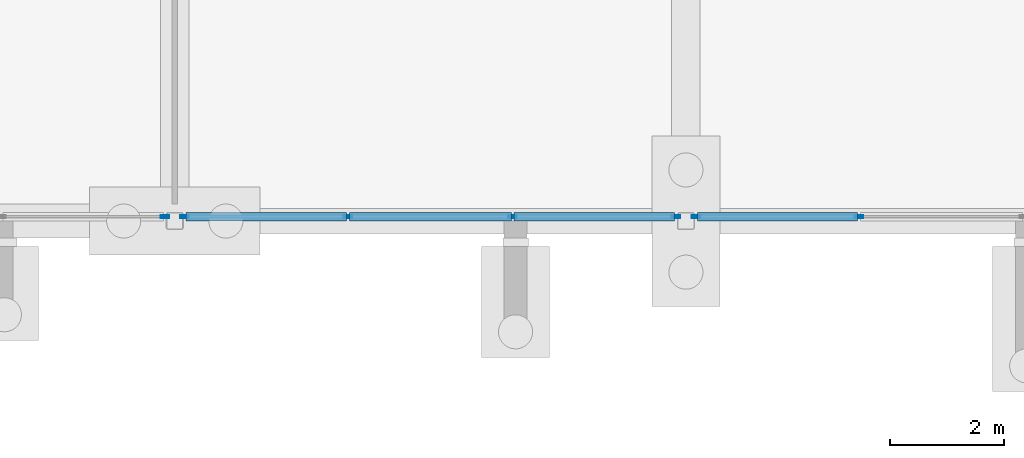
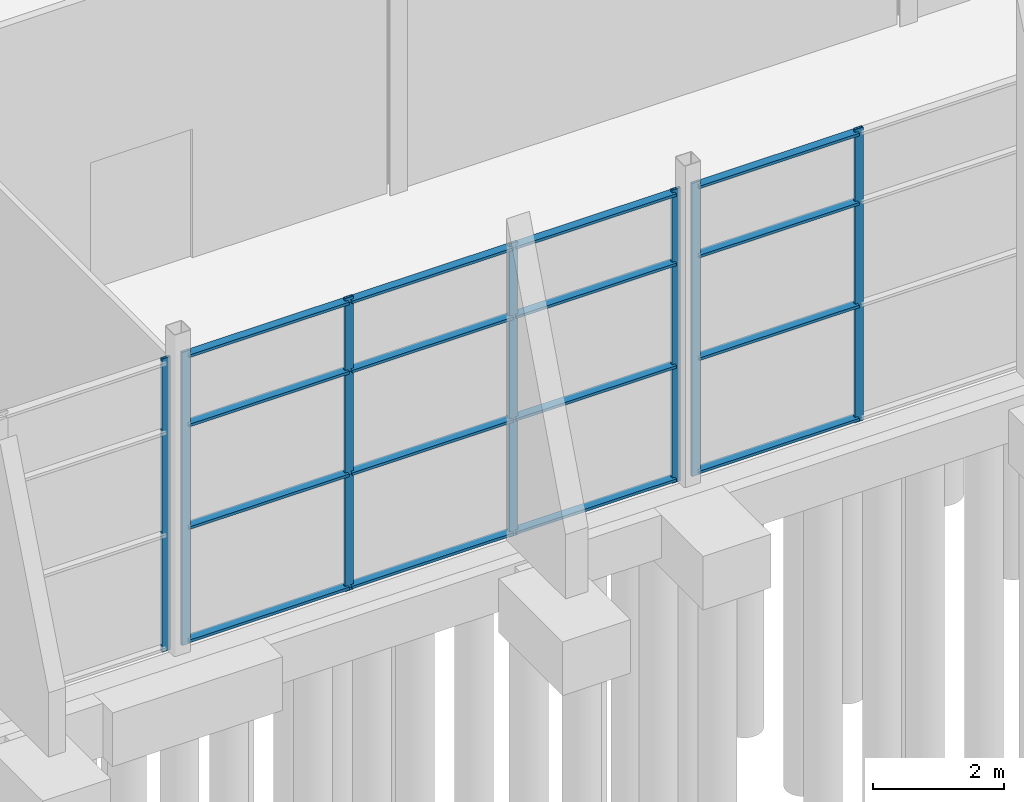
# One storey, part 78 of 139: 23 members, 3 elements without a shape of their own.
"""IFC4 building model written with IfcOpenShell, lengths in metres."""

from ifc_helpers import new_model, si_unit, direction, frame, origin, origin_2d, place, context, subcontext, project, spatial, hollow_rectangle, extrude, material, layer, layer_set, material_profile, profile_set, type_object, element, aggregate, save


model = new_model("IFC4")

# Units and contexts
model_context = context("Model", 3, precision=1e-05, world=origin(), true_north=direction((0.0, 1.0)))
body_context = subcontext(model_context, "Body", "Model", "MODEL_VIEW")
ifc_project = project(units=[si_unit("LENGTHUNIT", "METRE"), si_unit("AREAUNIT", "SQUARE_METRE"), si_unit("VOLUMEUNIT", "CUBIC_METRE"), si_unit("PLANEANGLEUNIT", "RADIAN"), si_unit("MASSUNIT", "GRAM", prefix="KILO")], contexts=[model_context])

# Site, building, storey
site_placement = place(None, origin())
site = spatial("IfcSite", under=ifc_project, at=site_placement, CompositionType="ELEMENT")
building_placement = place(site_placement, origin())
building = spatial("IfcBuilding", under=site, at=building_placement, Name="Shorebreak Coast Museum", CompositionType="ELEMENT")
storey_placement = place(building_placement, origin())
storey = spatial("IfcBuildingStorey", under=building, at=storey_placement, Name="L00", CompositionType="ELEMENT", Elevation=0.0)

# Curtain wall, member
ifc_material_1 = material(Name="Aluminium", Category="aluminium")
ifc_layer = layer(ifc_material_1, 0.14990234375)
ifc_layer_set = layer_set([ifc_layer], Name="Aluminium")
curtain_wall_type = type_object("IfcCurtainWallType", Name="Storefront curtain wall", PredefinedType="NOTDEFINED", material=ifc_layer_set)
curtain_wall_1_placement = place(storey_placement, origin())
curtain_wall_1 = element("IfcCurtainWall", 1, at=curtain_wall_1_placement, inside=storey, type_object=curtain_wall_type, Name="Storefront L00 S 8", PredefinedType="NOTDEFINED")
ifc_material_2 = material(Name="Aluminium", Category="aluminium")
ifc_material_profile_1 = material_profile(ifc_material_2, hollow_rectangle(XDim=0.050048828125, YDim=0.14990234375, WallThickness=0.00390625, at=origin_2d()), Name="AL 150x50 RHS")
ifc_profile_set_1 = profile_set([ifc_material_profile_1], Name="Aluminium")
member_type_1 = type_object("IfcMemberType", Name="Storefront mullion 50 x 150", PredefinedType="MULLION", material=ifc_profile_set_1)
member_1_placement = place(storey_placement, frame((125.824951171875, 54.074951171875, 0.0), z_axis=(0.0, 0.0, 1.0), x_axis=(0.0, 1.0, 0.0)))
member_1 = element("IfcMember", 2, at=member_1_placement, type_object=member_type_1, Name="CW8 mullion 4", PredefinedType="MULLION", context=body_context, shape_type="SweptSolid", body=[
    extrude(hollow_rectangle(XDim=0.050048828125, YDim=0.14990234375, WallThickness=0.00390625, at=origin_2d()), origin(), (0.0, 0.0, 1.0), 5.469482421875),
])
aggregate(curtain_wall_1, [member_1])

# Curtain wall, members
curtain_wall_2_placement = place(storey_placement, origin())
curtain_wall_2 = element("IfcCurtainWall", 3, at=curtain_wall_2_placement, inside=storey, type_object=curtain_wall_type, Name="Storefront L00 S 9", PredefinedType="NOTDEFINED")
member_2_placement = place(storey_placement, frame((126.175048828125, 54.074951171875, 0.0), z_axis=(0.0, 0.0, 1.0), x_axis=(0.0, 1.0, 0.0)))
member_2 = element("IfcMember", 4, at=member_2_placement, type_object=member_type_1, Name="CW8 mullion 1", PredefinedType="MULLION", context=body_context, shape_type="SweptSolid", body=[
    extrude(hollow_rectangle(XDim=0.050048828125, YDim=0.14990234375, WallThickness=0.00390625, at=origin_2d()), origin(), (0.0, 0.0, 1.0), 5.469482421875),
])
member_3_placement = place(storey_placement, frame((129.050048828125, 54.074951171875, 0.0), z_axis=(0.0, 0.0, 1.0), x_axis=(0.0, 1.0, 0.0)))
member_3 = element("IfcMember", 5, at=member_3_placement, type_object=member_type_1, Name="CW8 mullion 2", PredefinedType="MULLION", context=body_context, shape_type="SweptSolid", body=[
    extrude(hollow_rectangle(XDim=0.050048828125, YDim=0.14990234375, WallThickness=0.00390625, at=origin_2d()), origin(), (0.0, 0.0, 1.0), 5.469482421875),
])
member_4_placement = place(storey_placement, frame((131.949951171875, 54.074951171875, 0.0), z_axis=(0.0, 0.0, 1.0), x_axis=(0.0, 1.0, 0.0)))
member_4 = element("IfcMember", 6, at=member_4_placement, type_object=member_type_1, Name="CW8 mullion 3", PredefinedType="MULLION", context=body_context, shape_type="SweptSolid", body=[
    extrude(hollow_rectangle(XDim=0.050048828125, YDim=0.14990234375, WallThickness=0.00390625, at=origin_2d()), origin(), (0.0, 0.0, 1.0), 5.469482421875),
])
member_5_placement = place(storey_placement, frame((134.824951171875, 54.074951171875, 0.0), z_axis=(0.0, 0.0, 1.0), x_axis=(0.0, 1.0, 0.0)))
member_5 = element("IfcMember", 7, at=member_5_placement, type_object=member_type_1, Name="CW8 mullion 4", PredefinedType="MULLION", context=body_context, shape_type="SweptSolid", body=[
    extrude(hollow_rectangle(XDim=0.050048828125, YDim=0.14990234375, WallThickness=0.00390625, at=origin_2d()), origin(), (0.0, 0.0, 1.0), 5.469482421875),
])

curtain_wall_3_placement = place(storey_placement, origin())
curtain_wall_3 = element("IfcCurtainWall", 8, at=curtain_wall_3_placement, inside=storey, type_object=curtain_wall_type, Name="Storefront L00 S 10", PredefinedType="NOTDEFINED")
member_6_placement = place(storey_placement, frame((135.175048828125, 54.074951171875, 0.0), z_axis=(0.0, 0.0, 1.0), x_axis=(0.0, 1.0, 0.0)))
member_6 = element("IfcMember", 9, at=member_6_placement, type_object=member_type_1, Name="CW8 mullion 1", PredefinedType="MULLION", context=body_context, shape_type="SweptSolid", body=[
    extrude(hollow_rectangle(XDim=0.050048828125, YDim=0.14990234375, WallThickness=0.00390625, at=origin_2d()), origin(), (0.0, 0.0, 1.0), 5.469482421875),
])
member_7_placement = place(storey_placement, frame((138.050048828125, 54.074951171875, 0.0), z_axis=(0.0, 0.0, 1.0), x_axis=(0.0, 1.0, 0.0)))
member_7 = element("IfcMember", 10, at=member_7_placement, type_object=member_type_1, Name="CW8 mullion 2", PredefinedType="MULLION", context=body_context, shape_type="SweptSolid", body=[
    extrude(hollow_rectangle(XDim=0.050048828125, YDim=0.14990234375, WallThickness=0.00390625, at=origin_2d()), origin(), (0.0, 0.0, 1.0), 5.469482421875),
])

# Member
ifc_material_3 = material(Name="Aluminium", Category="aluminium")
ifc_material_profile_2 = material_profile(ifc_material_3, hollow_rectangle(XDim=0.14990234375, YDim=0.050048828125, WallThickness=0.00390625, at=origin_2d()), Name="AL 50x150 RHS")
ifc_profile_set_2 = profile_set([ifc_material_profile_2], Name="Aluminium")
member_type_2 = type_object("IfcMemberType", Name="Storefront transom 150 x 50", PredefinedType="USERDEFINED", material=ifc_profile_set_2)
member_8_placement = place(storey_placement, frame((126.199951171875, 54.074951171875, 0.074951171875), z_axis=(1.0, 0.0, 0.0), x_axis=(0.0, 1.0, 0.0)))
member_8 = element("IfcMember", 11, at=member_8_placement, type_object=member_type_2, Name="CW8 transom 1.1", ObjectType="TRANSOM", PredefinedType="USERDEFINED", context=body_context, shape_type="SweptSolid", body=[
    extrude(hollow_rectangle(XDim=0.14990234375, YDim=0.050048828125, WallThickness=0.00390625, at=origin_2d()), origin(), (0.0, 0.0, 1.0), 2.824951171875),
])

member_9_placement = place(storey_placement, frame((126.199951171875, 54.074951171875, 2.187744140625), z_axis=(1.0, 0.0, 0.0), x_axis=(0.0, 1.0, 0.0)))
member_9 = element("IfcMember", 12, at=member_9_placement, type_object=member_type_2, Name="CW8 transom 1.2", ObjectType="TRANSOM", PredefinedType="USERDEFINED", context=body_context, shape_type="SweptSolid", body=[
    extrude(hollow_rectangle(XDim=0.14990234375, YDim=0.050048828125, WallThickness=0.00390625, at=origin_2d()), origin(), (0.0, 0.0, 1.0), 2.824951171875),
])

member_10_placement = place(storey_placement, frame((126.199951171875, 54.074951171875, 4.10205078125), z_axis=(1.0, 0.0, 0.0), x_axis=(0.0, 1.0, 0.0)))
member_10 = element("IfcMember", 13, at=member_10_placement, type_object=member_type_2, Name="CW8 transom 1.3", ObjectType="TRANSOM", PredefinedType="USERDEFINED", context=body_context, shape_type="SweptSolid", body=[
    extrude(hollow_rectangle(XDim=0.14990234375, YDim=0.050048828125, WallThickness=0.00390625, at=origin_2d()), origin(), (0.0, 0.0, 1.0), 2.824951171875),
])

member_11_placement = place(storey_placement, frame((126.199951171875, 54.074951171875, 5.394287109375), z_axis=(1.0, 0.0, 0.0), x_axis=(0.0, 1.0, 0.0)))
member_11 = element("IfcMember", 14, at=member_11_placement, type_object=member_type_2, Name="CW8 transom 1.4", ObjectType="TRANSOM", PredefinedType="USERDEFINED", context=body_context, shape_type="SweptSolid", body=[
    extrude(hollow_rectangle(XDim=0.14990234375, YDim=0.050048828125, WallThickness=0.00390625, at=origin_2d()), origin(), (0.0, 0.0, 1.0), 2.824951171875),
])

member_12_placement = place(storey_placement, frame((129.074951171875, 54.074951171875, 0.074951171875), z_axis=(1.0, 0.0, 0.0), x_axis=(0.0, 1.0, 0.0)))
member_12 = element("IfcMember", 15, at=member_12_placement, type_object=member_type_2, Name="CW8 transom 2.1", ObjectType="TRANSOM", PredefinedType="USERDEFINED", context=body_context, shape_type="SweptSolid", body=[
    extrude(hollow_rectangle(XDim=0.14990234375, YDim=0.050048828125, WallThickness=0.00390625, at=origin_2d()), origin(), (0.0, 0.0, 1.0), 2.85009765625),
])

member_13_placement = place(storey_placement, frame((129.074951171875, 54.074951171875, 2.187744140625), z_axis=(1.0, 0.0, 0.0), x_axis=(0.0, 1.0, 0.0)))
member_13 = element("IfcMember", 16, at=member_13_placement, type_object=member_type_2, Name="CW8 transom 2.2", ObjectType="TRANSOM", PredefinedType="USERDEFINED", context=body_context, shape_type="SweptSolid", body=[
    extrude(hollow_rectangle(XDim=0.14990234375, YDim=0.050048828125, WallThickness=0.00390625, at=origin_2d()), origin(), (0.0, 0.0, 1.0), 2.85009765625),
])

member_14_placement = place(storey_placement, frame((129.074951171875, 54.074951171875, 4.10205078125), z_axis=(1.0, 0.0, 0.0), x_axis=(0.0, 1.0, 0.0)))
member_14 = element("IfcMember", 17, at=member_14_placement, type_object=member_type_2, Name="CW8 transom 2.3", ObjectType="TRANSOM", PredefinedType="USERDEFINED", context=body_context, shape_type="SweptSolid", body=[
    extrude(hollow_rectangle(XDim=0.14990234375, YDim=0.050048828125, WallThickness=0.00390625, at=origin_2d()), origin(), (0.0, 0.0, 1.0), 2.85009765625),
])

member_15_placement = place(storey_placement, frame((129.074951171875, 54.074951171875, 5.394287109375), z_axis=(1.0, 0.0, 0.0), x_axis=(0.0, 1.0, 0.0)))
member_15 = element("IfcMember", 18, at=member_15_placement, type_object=member_type_2, Name="CW8 transom 2.4", ObjectType="TRANSOM", PredefinedType="USERDEFINED", context=body_context, shape_type="SweptSolid", body=[
    extrude(hollow_rectangle(XDim=0.14990234375, YDim=0.050048828125, WallThickness=0.00390625, at=origin_2d()), origin(), (0.0, 0.0, 1.0), 2.85009765625),
])

member_16_placement = place(storey_placement, frame((131.97509765625, 54.074951171875, 0.074951171875), z_axis=(1.0, 0.0, 0.0), x_axis=(0.0, 1.0, 0.0)))
member_16 = element("IfcMember", 19, at=member_16_placement, type_object=member_type_2, Name="CW8 transom 3.1", ObjectType="TRANSOM", PredefinedType="USERDEFINED", context=body_context, shape_type="SweptSolid", body=[
    extrude(hollow_rectangle(XDim=0.14990234375, YDim=0.050048828125, WallThickness=0.00390625, at=origin_2d()), origin(), (0.0, 0.0, 1.0), 2.824951171875),
])

member_17_placement = place(storey_placement, frame((131.97509765625, 54.074951171875, 2.187744140625), z_axis=(1.0, 0.0, 0.0), x_axis=(0.0, 1.0, 0.0)))
member_17 = element("IfcMember", 20, at=member_17_placement, type_object=member_type_2, Name="CW8 transom 3.2", ObjectType="TRANSOM", PredefinedType="USERDEFINED", context=body_context, shape_type="SweptSolid", body=[
    extrude(hollow_rectangle(XDim=0.14990234375, YDim=0.050048828125, WallThickness=0.00390625, at=origin_2d()), origin(), (0.0, 0.0, 1.0), 2.824951171875),
])

member_18_placement = place(storey_placement, frame((131.97509765625, 54.074951171875, 4.10205078125), z_axis=(1.0, 0.0, 0.0), x_axis=(0.0, 1.0, 0.0)))
member_18 = element("IfcMember", 21, at=member_18_placement, type_object=member_type_2, Name="CW8 transom 3.3", ObjectType="TRANSOM", PredefinedType="USERDEFINED", context=body_context, shape_type="SweptSolid", body=[
    extrude(hollow_rectangle(XDim=0.14990234375, YDim=0.050048828125, WallThickness=0.00390625, at=origin_2d()), origin(), (0.0, 0.0, 1.0), 2.824951171875),
])

member_19_placement = place(storey_placement, frame((131.97509765625, 54.074951171875, 5.394287109375), z_axis=(1.0, 0.0, 0.0), x_axis=(0.0, 1.0, 0.0)))
member_19 = element("IfcMember", 22, at=member_19_placement, type_object=member_type_2, Name="CW8 transom 3.4", ObjectType="TRANSOM", PredefinedType="USERDEFINED", context=body_context, shape_type="SweptSolid", body=[
    extrude(hollow_rectangle(XDim=0.14990234375, YDim=0.050048828125, WallThickness=0.00390625, at=origin_2d()), origin(), (0.0, 0.0, 1.0), 2.824951171875),
])

aggregate(curtain_wall_2, [member_2, member_3, member_4, member_5, member_8, member_9, member_10, member_11, member_12, member_13, member_14, member_15, member_16, member_17, member_18, member_19])

member_20_placement = place(storey_placement, frame((135.199951171875, 54.074951171875, 0.074951171875), z_axis=(1.0, 0.0, 0.0), x_axis=(0.0, 1.0, 0.0)))
member_20 = element("IfcMember", 23, at=member_20_placement, type_object=member_type_2, Name="CW8 transom 1.1", ObjectType="TRANSOM", PredefinedType="USERDEFINED", context=body_context, shape_type="SweptSolid", body=[
    extrude(hollow_rectangle(XDim=0.14990234375, YDim=0.050048828125, WallThickness=0.00390625, at=origin_2d()), origin(), (0.0, 0.0, 1.0), 2.824951171875),
])

member_21_placement = place(storey_placement, frame((135.199951171875, 54.074951171875, 2.187744140625), z_axis=(1.0, 0.0, 0.0), x_axis=(0.0, 1.0, 0.0)))
member_21 = element("IfcMember", 24, at=member_21_placement, type_object=member_type_2, Name="CW8 transom 1.2", ObjectType="TRANSOM", PredefinedType="USERDEFINED", context=body_context, shape_type="SweptSolid", body=[
    extrude(hollow_rectangle(XDim=0.14990234375, YDim=0.050048828125, WallThickness=0.00390625, at=origin_2d()), origin(), (0.0, 0.0, 1.0), 2.824951171875),
])

member_22_placement = place(storey_placement, frame((135.199951171875, 54.074951171875, 4.10205078125), z_axis=(1.0, 0.0, 0.0), x_axis=(0.0, 1.0, 0.0)))
member_22 = element("IfcMember", 25, at=member_22_placement, type_object=member_type_2, Name="CW8 transom 1.3", ObjectType="TRANSOM", PredefinedType="USERDEFINED", context=body_context, shape_type="SweptSolid", body=[
    extrude(hollow_rectangle(XDim=0.14990234375, YDim=0.050048828125, WallThickness=0.00390625, at=origin_2d()), origin(), (0.0, 0.0, 1.0), 2.824951171875),
])

member_23_placement = place(storey_placement, frame((135.199951171875, 54.074951171875, 5.394287109375), z_axis=(1.0, 0.0, 0.0), x_axis=(0.0, 1.0, 0.0)))
member_23 = element("IfcMember", 26, at=member_23_placement, type_object=member_type_2, Name="CW8 transom 1.4", ObjectType="TRANSOM", PredefinedType="USERDEFINED", context=body_context, shape_type="SweptSolid", body=[
    extrude(hollow_rectangle(XDim=0.14990234375, YDim=0.050048828125, WallThickness=0.00390625, at=origin_2d()), origin(), (0.0, 0.0, 1.0), 2.824951171875),
])

aggregate(curtain_wall_3, [member_6, member_7, member_20, member_21, member_22, member_23])

save(model, "model.ifc")
